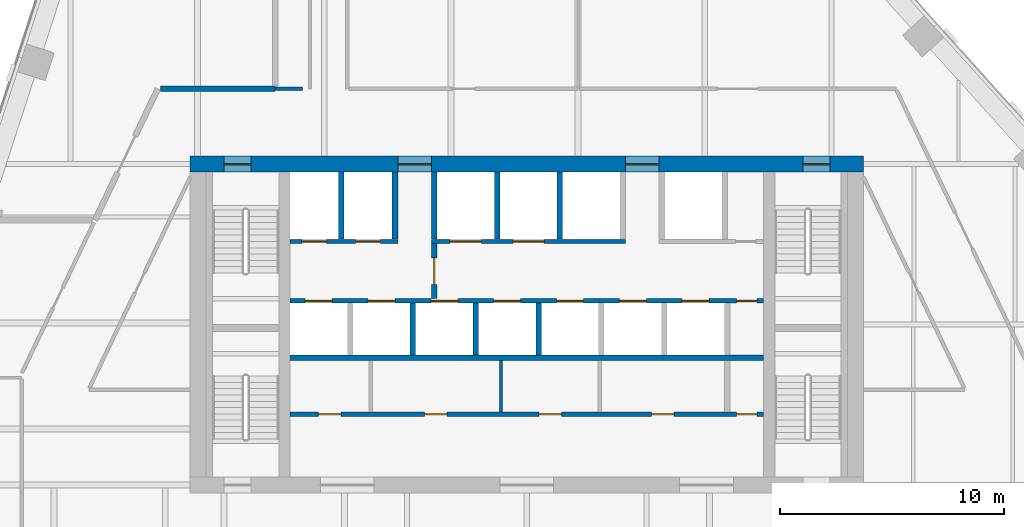
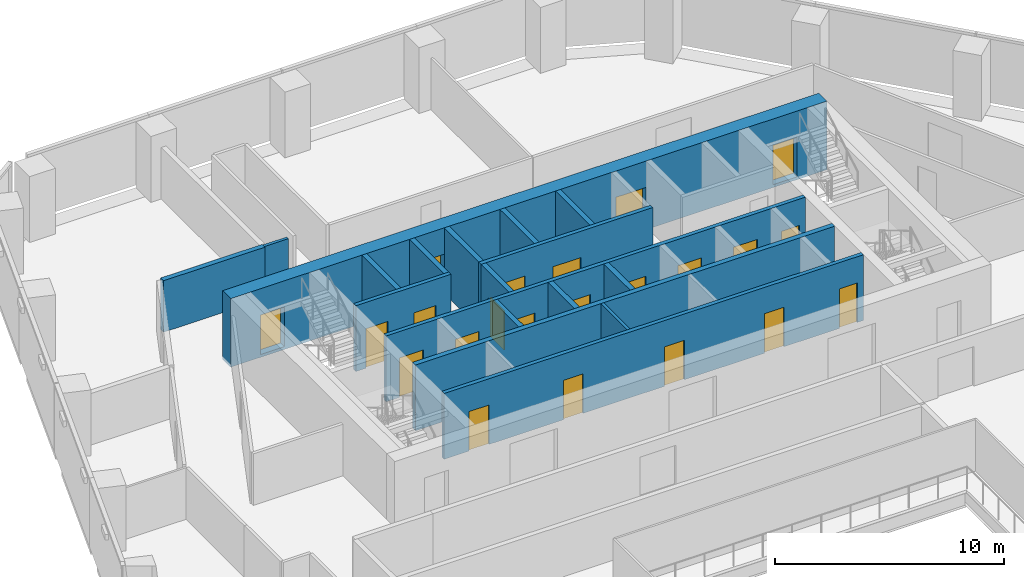
# One storey, part 12 of 17: 22 doors, 18 walls, 22 openings.
"""IFC4 building model written with IfcOpenShell, lengths in metres."""

from ifc_helpers import new_model, si_unit, direction, frame, frame_2d, origin, place, context, subcontext, project, spatial, rectangle, extrude, material, layer, layer_set, type_object, element, fill, save


model = new_model("IFC4")

# Units and contexts
model_context = context("Model", 3, precision=1e-05, world=origin(), true_north=direction((0.0, 1.0)))
body_context = subcontext(model_context, "Body", "Model", "MODEL_VIEW")
ifc_project = project(units=[si_unit("LENGTHUNIT", "METRE"), si_unit("AREAUNIT", "SQUARE_METRE"), si_unit("VOLUMEUNIT", "CUBIC_METRE"), si_unit("PLANEANGLEUNIT", "RADIAN"), si_unit("MASSUNIT", "GRAM", prefix="KILO")], contexts=[model_context])

# Site, building, storey
site_placement = place(None, origin())
site = spatial("IfcSite", under=ifc_project, at=site_placement, CompositionType="ELEMENT")
building_placement = place(site_placement, origin())
building = spatial("IfcBuilding", under=site, at=building_placement, Name="Isthmus Gate Tower", CompositionType="ELEMENT")
storey_placement = place(building_placement, frame((0.0, 0.0, 200.0)))
storey = spatial("IfcBuildingStorey", under=building, at=storey_placement, Name="L50", CompositionType="ELEMENT", Elevation=200.0)

# Walls
ifc_material_1 = material(Name="Double-leaf acoustic stud wall, fire-rated", Category="gypsum")
ifc_layer_1 = layer(ifc_material_1, 0.25)
ifc_layer_set_1 = layer_set([ifc_layer_1], Name="ACOUSTIC WALL 250 60 MIN")
wall_type_1 = type_object("IfcWallType", Name="ACOUSTIC WALL 250 60 MIN", PredefinedType="PARTITIONING", material=ifc_layer_set_1)
wall_1_placement = place(storey_placement, frame((-16.320068359375, 18.0, 0.0), z_axis=(0.0, 0.0, 1.0), x_axis=(1.0, 0.0, 0.0)))
element("IfcWall", 1, at=wall_1_placement, inside=storey, type_object=wall_type_1, Name="L50 Acoustic Wall 250 60 Min", PredefinedType="PARTITIONING", context=body_context, shape_type="SweptSolid", body=[
    extrude(rectangle(XDim=5.108154296875, YDim=0.25, at=frame_2d((2.55419921875, 0.0))), origin(), (0.0, 0.0, 1.0), 2.7412109375),
])
ifc_material_2 = material(Name="Gypsum board on steel studs, fire-rated", Category="steel")
ifc_layer_2 = layer(ifc_material_2, 0.14990234375)
ifc_layer_set_2 = layer_set([ifc_layer_2], Name="CORRIDOR WALL 150 60 MIN")
wall_type_2 = type_object("IfcWallType", Name="CORRIDOR WALL 150 60 MIN", PredefinedType="PARTITIONING", material=ifc_layer_set_2)
wall_2_placement = place(storey_placement, frame((-11.2119140625, 18.0, 0.0), z_axis=(0.0, 0.0, 1.0), x_axis=(1.0, 0.0, 0.0)))
element("IfcWall", 2, at=wall_2_placement, inside=storey, type_object=wall_type_2, Name="L50 Corridor Wall 150 60 Min", PredefinedType="PARTITIONING", context=body_context, shape_type="SweptSolid", body=[
    extrude(rectangle(XDim=1.2099609375, YDim=0.14990234375, at=frame_2d((0.60498046875, 0.0))), origin(), (0.0, 0.0, 1.0), 2.7412109375),
])

# Wall, opening, door
ifc_material_3 = material(Name="Fire-rated blockwork masonry, 15 MPa", Category="masonry")
ifc_layer_3 = layer(ifc_material_3, 0.25)
ifc_layer_set_3 = layer_set([ifc_layer_3], Name="FIRE-FIGHTING LOBBY WALL 250 90 MIN")
wall_type_3 = type_object("IfcWallType", Name="FIRE-FIGHTING LOBBY WALL 250 90 MIN", PredefinedType="PARTITIONING", material=ifc_layer_set_3)
wall_3_placement = place(storey_placement, frame((-4.125, 8.64990234375, 0.0), z_axis=(0.0, 0.0, 1.0), x_axis=(0.0, 1.0, 0.0)))
wall_3 = element("IfcWall", 3, at=wall_3_placement, inside=storey, type_object=wall_type_3, Name="L50 FIRE-FIGHTING LOBBY WALL 250 90 MIN", PredefinedType="PARTITIONING", context=body_context, shape_type="SweptSolid", body=[
    extrude(rectangle(XDim=2.4501953125, YDim=0.25, at=frame_2d((1.22509765625, 0.0))), origin(), (0.0, 0.0, 1.0), 3.5),
])
opening_1_placement = place(wall_3_placement, frame((0.625, 0.0, 0.0)))
opening_1 = element("IfcOpeningElement", 4, at=opening_1_placement, cuts=wall_3, Name="Opening DC-A13-01", PredefinedType="OPENING", context=body_context, shape_type="SweptSolid", body=[
    extrude(rectangle(XDim=1.199951171875, YDim=2.10009765625, at=frame_2d((0.60009765625, 1.050048828125))), frame((0.0, 0.135009765625, 0.0), z_axis=(0.0, -1.0, 0.0), x_axis=(1.0, 0.0, 0.0)), (0.0, 0.0, 1.0), 0.27001953125),
])
ifc_material_4 = material(Name="Steel door leaf, fire-rated", Category="steel")
door_type_1 = type_object("IfcDoorType", Name="LOBBY FIRE DOOR 1200 X 2100 90 MIN", OperationType="DOUBLE_DOOR_SINGLE_SWING", PredefinedType="DOOR", material=ifc_material_4)
door_1_placement = place(opening_1_placement, origin())
door_1 = element("IfcDoor", 5, at=door_1_placement, inside=storey, type_object=door_type_1, Name="Fire-fighting Lobby Door", OperationType="SINGLE_SWING_LEFT", OverallHeight=2.10009765625, OverallWidth=1.199951171875, PredefinedType="DOOR", context=body_context, shape_type="SweptSolid", body=[
    extrude(rectangle(XDim=1.199951171875, YDim=2.10009765625, at=frame_2d((0.60009765625, 1.050048828125))), frame((0.0, 0.02490234375, 0.0), z_axis=(0.0, -1.0, 0.0), x_axis=(1.0, 0.0, 0.0)), (0.0, 0.0, 1.0), 0.050048828125),
])
fill(opening_1, door_1)

# Wall, openings, doors
ifc_material_5 = material(Name="Concrete f'c 60 MPa", Category="concrete")
ifc_layer_4 = layer(ifc_material_5, 0.699951171875)
ifc_layer_set_4 = layer_set([ifc_layer_4], Name="RC CORE WALL 700 F'C 60")
wall_type_4 = type_object("IfcWallType", Name="RC CORE WALL 700 F'C 60", PredefinedType="SOLIDWALL", material=ifc_layer_set_4)
wall_4_placement = place(storey_placement, frame((-15.0, 14.64990234375, -0.14990234375), z_axis=(0.0, 0.0, 1.0), x_axis=(1.0, 0.0, 0.0)))
wall_4 = element("IfcWall", 6, at=wall_4_placement, inside=storey, type_object=wall_type_4, Name="str-corewall-L50-N", PredefinedType="SOLIDWALL", context=body_context, shape_type="SweptSolid", body=[
    extrude(rectangle(XDim=30.0, YDim=0.699951171875, at=frame_2d((15.0, 0.0))), origin(), (0.0, 0.0, 1.0), 3.64990234375),
])
opening_2_placement = place(wall_4_placement, frame((9.25, 0.0, 0.14990234375)))
opening_2 = element("IfcOpeningElement", 7, at=opening_2_placement, cuts=wall_4, Name="Opening DC-A13-12", PredefinedType="OPENING", context=body_context, shape_type="SweptSolid", body=[
    extrude(rectangle(XDim=1.5, YDim=2.10009765625, at=frame_2d((0.75, 1.050048828125))), frame((0.0, 0.35986328125, 0.0), z_axis=(0.0, -1.0, 0.0), x_axis=(1.0, 0.0, 0.0)), (0.0, 0.0, 1.0), 0.719970703125),
])
opening_3_placement = place(wall_4_placement, frame((19.39990234375, 0.0, 0.14990234375)))
opening_3 = element("IfcOpeningElement", 8, at=opening_3_placement, cuts=wall_4, Name="Opening DC-A13-13", PredefinedType="OPENING", context=body_context, shape_type="SweptSolid", body=[
    extrude(rectangle(XDim=1.5, YDim=2.10009765625, at=frame_2d((0.75, 1.050048828125))), frame((0.0, 0.35986328125, 0.0), z_axis=(0.0, -1.0, 0.0), x_axis=(1.0, 0.0, 0.0)), (0.0, 0.0, 1.0), 0.719970703125),
])
opening_4_placement = place(wall_4_placement, frame((1.5, 0.0, 0.14990234375)))
opening_4 = element("IfcOpeningElement", 9, at=opening_4_placement, cuts=wall_4, Name="Opening DC-A13-14", PredefinedType="OPENING", context=body_context, shape_type="SweptSolid", body=[
    extrude(rectangle(XDim=1.199951171875, YDim=2.10009765625, at=frame_2d((0.60009765625, 1.050048828125))), frame((0.0, 0.35986328125, 0.0), z_axis=(0.0, -1.0, 0.0), x_axis=(1.0, 0.0, 0.0)), (0.0, 0.0, 1.0), 0.719970703125),
])
opening_5_placement = place(wall_4_placement, frame((27.300048828125, 0.0, 0.14990234375)))
opening_5 = element("IfcOpeningElement", 10, at=opening_5_placement, cuts=wall_4, Name="Opening DC-A13-15", PredefinedType="OPENING", context=body_context, shape_type="SweptSolid", body=[
    extrude(rectangle(XDim=1.199951171875, YDim=2.10009765625, at=frame_2d((0.60009765625, 1.050048828125))), frame((0.0, 0.35986328125, 0.0), z_axis=(0.0, -1.0, 0.0), x_axis=(1.0, 0.0, 0.0)), (0.0, 0.0, 1.0), 0.719970703125),
])
ifc_material_6 = material(Name="Steel door leaf, fire-rated", Category="steel")
door_type_2 = type_object("IfcDoorType", Name="LOBBY FIRE DOOR 1500 X 2100 60 MIN", OperationType="DOUBLE_DOOR_SINGLE_SWING", PredefinedType="DOOR", material=ifc_material_6)
door_2_placement = place(opening_3_placement, origin())
door_2 = element("IfcDoor", 11, at=door_2_placement, inside=storey, type_object=door_type_2, Name="Lobby Door PN-E", OperationType="DOUBLE_DOOR_SINGLE_SWING", OverallHeight=2.10009765625, OverallWidth=1.5, PredefinedType="DOOR", context=body_context, shape_type="SweptSolid", body=[
    extrude(rectangle(XDim=1.5, YDim=2.10009765625, at=frame_2d((0.75, 1.050048828125))), frame((0.0, 0.02490234375, 0.0), z_axis=(0.0, -1.0, 0.0), x_axis=(1.0, 0.0, 0.0)), (0.0, 0.0, 1.0), 0.050048828125),
])
fill(opening_3, door_2)
ifc_material_7 = material(Name="Steel door leaf, fire-rated", Category="steel")
door_type_3 = type_object("IfcDoorType", Name="LOBBY FIRE DOOR 1500 X 2100 90 MIN", OperationType="DOUBLE_DOOR_SINGLE_SWING", PredefinedType="DOOR", material=ifc_material_7)
door_3_placement = place(opening_2_placement, origin())
door_3 = element("IfcDoor", 12, at=door_3_placement, inside=storey, type_object=door_type_3, Name="Lobby Door PN-W", OperationType="DOUBLE_DOOR_SINGLE_SWING", OverallHeight=2.10009765625, OverallWidth=1.5, PredefinedType="DOOR", context=body_context, shape_type="SweptSolid", body=[
    extrude(rectangle(XDim=1.5, YDim=2.10009765625, at=frame_2d((0.75, 1.050048828125))), frame((0.0, 0.02490234375, 0.0), z_axis=(0.0, -1.0, 0.0), x_axis=(1.0, 0.0, 0.0)), (0.0, 0.0, 1.0), 0.050048828125),
])
fill(opening_2, door_3)
ifc_material_8 = material(Name="Steel door leaf, fire-rated", Category="steel")
door_type_4 = type_object("IfcDoorType", Name="STAIR FIRE DOOR 1200 X 2100 90 MIN", OperationType="SINGLE_SWING_LEFT", PredefinedType="DOOR", material=ifc_material_8)
door_4_placement = place(opening_4_placement, origin())
door_4 = element("IfcDoor", 13, at=door_4_placement, inside=storey, type_object=door_type_4, Name="Exit Stair 1 Door", OperationType="SINGLE_SWING_RIGHT", OverallHeight=2.10009765625, OverallWidth=1.199951171875, PredefinedType="DOOR", context=body_context, shape_type="SweptSolid", body=[
    extrude(rectangle(XDim=1.199951171875, YDim=2.10009765625, at=frame_2d((0.60009765625, 1.050048828125))), frame((0.0, 0.02490234375, 0.0), z_axis=(0.0, -1.0, 0.0), x_axis=(1.0, 0.0, 0.0)), (0.0, 0.0, 1.0), 0.050048828125),
])
fill(opening_4, door_4)
door_5_placement = place(opening_5_placement, origin())
door_5 = element("IfcDoor", 14, at=door_5_placement, inside=storey, type_object=door_type_4, Name="Exit Stair 2 Door", OperationType="SINGLE_SWING_LEFT", OverallHeight=2.10009765625, OverallWidth=1.199951171875, PredefinedType="DOOR", context=body_context, shape_type="SweptSolid", body=[
    extrude(rectangle(XDim=1.199951171875, YDim=2.10009765625, at=frame_2d((0.60009765625, 1.050048828125))), frame((0.0, 0.02490234375, 0.0), z_axis=(0.0, -1.0, 0.0), x_axis=(1.0, 0.0, 0.0)), (0.0, 0.0, 1.0), 0.050048828125),
])
fill(opening_5, door_5)

# Wall
ifc_material_9 = material(Name="Gypsum board on steel studs, fire-rated", Category="steel")
ifc_layer_5 = layer(ifc_material_9, 0.14990234375)
ifc_layer_set_5 = layer_set([ifc_layer_5], Name="ROOM PARTITION 150 60 MIN")
wall_type_5 = type_object("IfcWallType", Name="ROOM PARTITION 150 60 MIN", PredefinedType="PARTITIONING", material=ifc_layer_set_5)
wall_5_placement = place(storey_placement, frame((-1.14990234375, 3.60009765625, 0.0), z_axis=(0.0, 0.0, 1.0), x_axis=(0.0, 1.0, 0.0)))
element("IfcWall", 15, at=wall_5_placement, inside=storey, type_object=wall_type_5, Name="L50 ROOM PARTITION 150 60 MIN", PredefinedType="PARTITIONING", context=body_context, shape_type="SweptSolid", body=[
    extrude(rectangle(XDim=2.2998046875, YDim=0.14990234375, at=frame_2d((1.14990234375, 0.0))), origin(), (0.0, 0.0, 1.0), 3.5),
])

# Wall, openings, doors
ifc_material_10 = material(Name="Fire-rated blockwork masonry, 15 MPa", Category="masonry")
ifc_layer_6 = layer(ifc_material_10, 0.199951171875)
ifc_layer_set_6 = layer_set([ifc_layer_6], Name="SHAFT FRONT WALL 200 120 MIN")
wall_type_6 = type_object("IfcWallType", Name="SHAFT FRONT WALL 200 120 MIN", PredefinedType="PARTITIONING", material=ifc_layer_set_6)
wall_6_placement = place(storey_placement, frame((-10.550048828125, 3.5, 0.0), z_axis=(0.0, 0.0, 1.0), x_axis=(1.0, 0.0, 0.0)))
wall_6 = element("IfcWall", 16, at=wall_6_placement, inside=storey, type_object=wall_type_6, Name="L50 SHAFT FRONT WALL 200 120 MIN", PredefinedType="PARTITIONING", context=body_context, shape_type="SweptSolid", body=[
    extrude(rectangle(XDim=21.10009765625, YDim=0.199951171875, at=frame_2d((10.550048828125, 0.0))), origin(), (0.0, 0.0, 1.0), 3.5),
])
opening_6_placement = place(wall_6_placement, frame((1.262451171875, 0.0, 0.0)))
opening_6 = element("IfcOpeningElement", 17, at=opening_6_placement, cuts=wall_6, Name="Opening DC-A13-02", PredefinedType="OPENING", context=body_context, shape_type="SweptSolid", body=[
    extrude(rectangle(XDim=1.0, YDim=2.10009765625, at=frame_2d((0.5, 1.050048828125))), frame((0.0, 0.10986328125, 0.0), z_axis=(0.0, -1.0, 0.0), x_axis=(1.0, 0.0, 0.0)), (0.0, 0.0, 1.0), 0.219970703125),
])
opening_7_placement = place(wall_6_placement, frame((6.0, 0.0, 0.0)))
opening_7 = element("IfcOpeningElement", 18, at=opening_7_placement, cuts=wall_6, Name="Opening DC-A13-03", PredefinedType="OPENING", context=body_context, shape_type="SweptSolid", body=[
    extrude(rectangle(XDim=1.0, YDim=2.10009765625, at=frame_2d((0.5, 1.050048828125))), frame((0.0, 0.10986328125, 0.0), z_axis=(0.0, -1.0, 0.0), x_axis=(1.0, 0.0, 0.0)), (0.0, 0.0, 1.0), 0.219970703125),
])
opening_8_placement = place(wall_6_placement, frame((11.10009765625, 0.0, 0.0)))
opening_8 = element("IfcOpeningElement", 19, at=opening_8_placement, cuts=wall_6, Name="Opening DC-A13-04", PredefinedType="OPENING", context=body_context, shape_type="SweptSolid", body=[
    extrude(rectangle(XDim=1.0, YDim=2.10009765625, at=frame_2d((0.5, 1.050048828125))), frame((0.0, 0.10986328125, 0.0), z_axis=(0.0, -1.0, 0.0), x_axis=(1.0, 0.0, 0.0)), (0.0, 0.0, 1.0), 0.219970703125),
])
opening_9_placement = place(wall_6_placement, frame((16.112548828125, 0.0, 0.0)))
opening_9 = element("IfcOpeningElement", 20, at=opening_9_placement, cuts=wall_6, Name="Opening DC-A13-05", PredefinedType="OPENING", context=body_context, shape_type="SweptSolid", body=[
    extrude(rectangle(XDim=1.0, YDim=2.10009765625, at=frame_2d((0.5, 1.050048828125))), frame((0.0, 0.10986328125, 0.0), z_axis=(0.0, -1.0, 0.0), x_axis=(1.0, 0.0, 0.0)), (0.0, 0.0, 1.0), 0.219970703125),
])
opening_10_placement = place(wall_6_placement, frame((19.89990234375, 0.0, 0.0)))
opening_10 = element("IfcOpeningElement", 21, at=opening_10_placement, cuts=wall_6, Name="Opening DC-A13-06", PredefinedType="OPENING", context=body_context, shape_type="SweptSolid", body=[
    extrude(rectangle(XDim=0.89990234375, YDim=2.10009765625, at=frame_2d((0.449951171875, 1.050048828125))), frame((0.0, 0.10986328125, 0.0), z_axis=(0.0, -1.0, 0.0), x_axis=(1.0, 0.0, 0.0)), (0.0, 0.0, 1.0), 0.219970703125),
])
ifc_material_11 = material(Name="Steel door leaf, fire-rated", Category="steel")
door_type_5 = type_object("IfcDoorType", Name="FIRE DOOR 1000 X 2100 60 MIN", OperationType="SINGLE_SWING_LEFT", PredefinedType="DOOR", material=ifc_material_11)
door_6_placement = place(opening_6_placement, origin())
door_6 = element("IfcDoor", 22, at=door_6_placement, inside=storey, type_object=door_type_5, Name="Accessible WC Door", OperationType="SINGLE_SWING_LEFT", OverallHeight=2.10009765625, OverallWidth=1.0, PredefinedType="DOOR", context=body_context, shape_type="SweptSolid", body=[
    extrude(rectangle(XDim=1.0, YDim=2.10009765625, at=frame_2d((0.5, 1.050048828125))), frame((0.0, 0.02490234375, 0.0), z_axis=(0.0, -1.0, 0.0), x_axis=(1.0, 0.0, 0.0)), (0.0, 0.0, 1.0), 0.050048828125),
])
fill(opening_6, door_6)
door_7_placement = place(opening_7_placement, origin())
door_7 = element("IfcDoor", 23, at=door_7_placement, inside=storey, type_object=door_type_5, Name="WC Women Door", OperationType="SINGLE_SWING_RIGHT", OverallHeight=2.10009765625, OverallWidth=1.0, PredefinedType="DOOR", context=body_context, shape_type="SweptSolid", body=[
    extrude(rectangle(XDim=1.0, YDim=2.10009765625, at=frame_2d((0.5, 1.050048828125))), frame((0.0, 0.02490234375, 0.0), z_axis=(0.0, -1.0, 0.0), x_axis=(1.0, 0.0, 0.0)), (0.0, 0.0, 1.0), 0.050048828125),
])
fill(opening_7, door_7)
door_8_placement = place(opening_8_placement, origin())
door_8 = element("IfcDoor", 24, at=door_8_placement, inside=storey, type_object=door_type_5, Name="WC Men Door", OperationType="SINGLE_SWING_LEFT", OverallHeight=2.10009765625, OverallWidth=1.0, PredefinedType="DOOR", context=body_context, shape_type="SweptSolid", body=[
    extrude(rectangle(XDim=1.0, YDim=2.10009765625, at=frame_2d((0.5, 1.050048828125))), frame((0.0, 0.02490234375, 0.0), z_axis=(0.0, -1.0, 0.0), x_axis=(1.0, 0.0, 0.0)), (0.0, 0.0, 1.0), 0.050048828125),
])
fill(opening_8, door_8)
door_9_placement = place(opening_9_placement, origin())
door_9 = element("IfcDoor", 25, at=door_9_placement, inside=storey, type_object=door_type_5, Name="Staff Room Door", OperationType="SINGLE_SWING_RIGHT", OverallHeight=2.10009765625, OverallWidth=1.0, PredefinedType="DOOR", context=body_context, shape_type="SweptSolid", body=[
    extrude(rectangle(XDim=1.0, YDim=2.10009765625, at=frame_2d((0.5, 1.050048828125))), frame((0.0, 0.02490234375, 0.0), z_axis=(0.0, -1.0, 0.0), x_axis=(1.0, 0.0, 0.0)), (0.0, 0.0, 1.0), 0.050048828125),
])
fill(opening_9, door_9)
ifc_material_12 = material(Name="Steel door leaf, fire-rated", Category="steel")
door_type_6 = type_object("IfcDoorType", Name="RISER FIRE DOOR 900 X 2100 90 MIN", OperationType="SINGLE_SWING_LEFT", PredefinedType="DOOR", material=ifc_material_12)
door_10_placement = place(opening_10_placement, origin())
door_10 = element("IfcDoor", 26, at=door_10_placement, inside=storey, type_object=door_type_6, Name="Riser Door", OperationType="SINGLE_SWING_RIGHT", OverallHeight=2.10009765625, OverallWidth=0.89990234375, PredefinedType="DOOR", context=body_context, shape_type="SweptSolid", body=[
    extrude(rectangle(XDim=0.89990234375, YDim=2.10009765625, at=frame_2d((0.449951171875, 1.050048828125))), frame((0.0, 0.02490234375, 0.0), z_axis=(0.0, -1.0, 0.0), x_axis=(1.0, 0.0, 0.0)), (0.0, 0.0, 1.0), 0.050048828125),
])
fill(opening_10, door_10)

wall_7_placement = place(storey_placement, frame((-10.550048828125, 8.550048828125, 0.0), z_axis=(0.0, 0.0, 1.0), x_axis=(1.0, 0.0, 0.0)))
wall_7 = element("IfcWall", 27, at=wall_7_placement, inside=storey, type_object=wall_type_6, Name="L50 SHAFT FRONT WALL 200 120 MIN", PredefinedType="PARTITIONING", context=body_context, shape_type="SweptSolid", body=[
    extrude(rectangle(XDim=21.10009765625, YDim=0.199951171875, at=frame_2d((10.550048828125, 0.0))), origin(), (0.0, 0.0, 1.0), 3.5),
])
opening_11_placement = place(wall_7_placement, frame((0.675048828125, 0.0, 0.0)))
opening_11 = element("IfcOpeningElement", 28, at=opening_11_placement, cuts=wall_7, Name="Opening LD-LB1", PredefinedType="OPENING", context=body_context, shape_type="SweptSolid", body=[
    extrude(rectangle(XDim=1.199951171875, YDim=2.10009765625, at=frame_2d((0.60009765625, 1.050048828125))), frame((0.0, 0.10986328125, 0.0), z_axis=(0.0, -1.0, 0.0), x_axis=(1.0, 0.0, 0.0)), (0.0, 0.0, 1.0), 0.219970703125),
])
opening_12_placement = place(wall_7_placement, frame((3.47509765625, 0.0, 0.0)))
opening_12 = element("IfcOpeningElement", 29, at=opening_12_placement, cuts=wall_7, Name="Opening LD-LB2", PredefinedType="OPENING", context=body_context, shape_type="SweptSolid", body=[
    extrude(rectangle(XDim=1.199951171875, YDim=2.10009765625, at=frame_2d((0.60009765625, 1.050048828125))), frame((0.0, 0.10986328125, 0.0), z_axis=(0.0, -1.0, 0.0), x_axis=(1.0, 0.0, 0.0)), (0.0, 0.0, 1.0), 0.219970703125),
])
opening_13_placement = place(wall_7_placement, frame((6.27490234375, 0.0, 0.0)))
opening_13 = element("IfcOpeningElement", 30, at=opening_13_placement, cuts=wall_7, Name="Opening LD-LB3", PredefinedType="OPENING", context=body_context, shape_type="SweptSolid", body=[
    extrude(rectangle(XDim=1.199951171875, YDim=2.10009765625, at=frame_2d((0.60009765625, 1.050048828125))), frame((0.0, 0.10986328125, 0.0), z_axis=(0.0, -1.0, 0.0), x_axis=(1.0, 0.0, 0.0)), (0.0, 0.0, 1.0), 0.219970703125),
])
opening_14_placement = place(wall_7_placement, frame((9.074951171875, 0.0, 0.0)))
opening_14 = element("IfcOpeningElement", 31, at=opening_14_placement, cuts=wall_7, Name="Opening LD-LB4", PredefinedType="OPENING", context=body_context, shape_type="SweptSolid", body=[
    extrude(rectangle(XDim=1.199951171875, YDim=2.10009765625, at=frame_2d((0.60009765625, 1.050048828125))), frame((0.0, 0.10986328125, 0.0), z_axis=(0.0, -1.0, 0.0), x_axis=(1.0, 0.0, 0.0)), (0.0, 0.0, 1.0), 0.219970703125),
])
opening_15_placement = place(wall_7_placement, frame((11.875, 0.0, 0.0)))
opening_15 = element("IfcOpeningElement", 32, at=opening_15_placement, cuts=wall_7, Name="Opening LD-LB5", PredefinedType="OPENING", context=body_context, shape_type="SweptSolid", body=[
    extrude(rectangle(XDim=1.199951171875, YDim=2.10009765625, at=frame_2d((0.60009765625, 1.050048828125))), frame((0.0, 0.10986328125, 0.0), z_axis=(0.0, -1.0, 0.0), x_axis=(1.0, 0.0, 0.0)), (0.0, 0.0, 1.0), 0.219970703125),
])
opening_16_placement = place(wall_7_placement, frame((14.675048828125, 0.0, 0.0)))
opening_16 = element("IfcOpeningElement", 33, at=opening_16_placement, cuts=wall_7, Name="Opening LD-LB6", PredefinedType="OPENING", context=body_context, shape_type="SweptSolid", body=[
    extrude(rectangle(XDim=1.199951171875, YDim=2.10009765625, at=frame_2d((0.60009765625, 1.050048828125))), frame((0.0, 0.10986328125, 0.0), z_axis=(0.0, -1.0, 0.0), x_axis=(1.0, 0.0, 0.0)), (0.0, 0.0, 1.0), 0.219970703125),
])
opening_17_placement = place(wall_7_placement, frame((17.47509765625, 0.0, 0.0)))
opening_17 = element("IfcOpeningElement", 34, at=opening_17_placement, cuts=wall_7, Name="Opening LD-LB7", PredefinedType="OPENING", context=body_context, shape_type="SweptSolid", body=[
    extrude(rectangle(XDim=1.199951171875, YDim=2.10009765625, at=frame_2d((0.60009765625, 1.050048828125))), frame((0.0, 0.10986328125, 0.0), z_axis=(0.0, -1.0, 0.0), x_axis=(1.0, 0.0, 0.0)), (0.0, 0.0, 1.0), 0.219970703125),
])
opening_18_placement = place(wall_7_placement, frame((19.89990234375, 0.0, 0.0)))
opening_18 = element("IfcOpeningElement", 35, at=opening_18_placement, cuts=wall_7, Name="Opening DC-A13-07", PredefinedType="OPENING", context=body_context, shape_type="SweptSolid", body=[
    extrude(rectangle(XDim=0.89990234375, YDim=2.10009765625, at=frame_2d((0.449951171875, 1.050048828125))), frame((0.0, 0.10986328125, 0.0), z_axis=(0.0, -1.0, 0.0), x_axis=(1.0, 0.0, 0.0)), (0.0, 0.0, 1.0), 0.219970703125),
])
ifc_material_13 = material(Name="Stainless steel sliding leaf", Category="steel")
door_type_7 = type_object("IfcDoorType", Name="LIFT LANDING FIRE DOOR 1200 X 2100 90 MIN", OperationType="DOUBLE_DOOR_SLIDING", PredefinedType="DOOR", material=ifc_material_13)
door_11_placement = place(opening_11_placement, origin())
door_11 = element("IfcDoor", 36, at=door_11_placement, inside=storey, type_object=door_type_7, Name="Lift Landing Door LB1", OperationType="DOUBLE_DOOR_SLIDING", OverallHeight=2.10009765625, OverallWidth=1.199951171875, PredefinedType="DOOR", context=body_context, shape_type="SweptSolid", body=[
    extrude(rectangle(XDim=1.199951171875, YDim=2.10009765625, at=frame_2d((0.60009765625, 1.050048828125))), frame((0.0, 0.02490234375, 0.0), z_axis=(0.0, -1.0, 0.0), x_axis=(1.0, 0.0, 0.0)), (0.0, 0.0, 1.0), 0.050048828125),
])
fill(opening_11, door_11)
door_12_placement = place(opening_12_placement, origin())
door_12 = element("IfcDoor", 37, at=door_12_placement, inside=storey, type_object=door_type_7, Name="Lift Landing Door LB2", OperationType="DOUBLE_DOOR_SLIDING", OverallHeight=2.10009765625, OverallWidth=1.199951171875, PredefinedType="DOOR", context=body_context, shape_type="SweptSolid", body=[
    extrude(rectangle(XDim=1.199951171875, YDim=2.10009765625, at=frame_2d((0.60009765625, 1.050048828125))), frame((0.0, 0.02490234375, 0.0), z_axis=(0.0, -1.0, 0.0), x_axis=(1.0, 0.0, 0.0)), (0.0, 0.0, 1.0), 0.050048828125),
])
fill(opening_12, door_12)
door_13_placement = place(opening_13_placement, origin())
door_13 = element("IfcDoor", 38, at=door_13_placement, inside=storey, type_object=door_type_7, Name="Lift Landing Door LB3", OperationType="DOUBLE_DOOR_SLIDING", OverallHeight=2.10009765625, OverallWidth=1.199951171875, PredefinedType="DOOR", context=body_context, shape_type="SweptSolid", body=[
    extrude(rectangle(XDim=1.199951171875, YDim=2.10009765625, at=frame_2d((0.60009765625, 1.050048828125))), frame((0.0, 0.02490234375, 0.0), z_axis=(0.0, -1.0, 0.0), x_axis=(1.0, 0.0, 0.0)), (0.0, 0.0, 1.0), 0.050048828125),
])
fill(opening_13, door_13)
door_14_placement = place(opening_14_placement, origin())
door_14 = element("IfcDoor", 39, at=door_14_placement, inside=storey, type_object=door_type_7, Name="Lift Landing Door LB4", OperationType="DOUBLE_DOOR_SLIDING", OverallHeight=2.10009765625, OverallWidth=1.199951171875, PredefinedType="DOOR", context=body_context, shape_type="SweptSolid", body=[
    extrude(rectangle(XDim=1.199951171875, YDim=2.10009765625, at=frame_2d((0.60009765625, 1.050048828125))), frame((0.0, 0.02490234375, 0.0), z_axis=(0.0, -1.0, 0.0), x_axis=(1.0, 0.0, 0.0)), (0.0, 0.0, 1.0), 0.050048828125),
])
fill(opening_14, door_14)
door_15_placement = place(opening_15_placement, origin())
door_15 = element("IfcDoor", 40, at=door_15_placement, inside=storey, type_object=door_type_7, Name="Lift Landing Door LB5", OperationType="DOUBLE_DOOR_SLIDING", OverallHeight=2.10009765625, OverallWidth=1.199951171875, PredefinedType="DOOR", context=body_context, shape_type="SweptSolid", body=[
    extrude(rectangle(XDim=1.199951171875, YDim=2.10009765625, at=frame_2d((0.60009765625, 1.050048828125))), frame((0.0, 0.02490234375, 0.0), z_axis=(0.0, -1.0, 0.0), x_axis=(1.0, 0.0, 0.0)), (0.0, 0.0, 1.0), 0.050048828125),
])
fill(opening_15, door_15)
door_16_placement = place(opening_16_placement, origin())
door_16 = element("IfcDoor", 41, at=door_16_placement, inside=storey, type_object=door_type_7, Name="Lift Landing Door LB6", OperationType="DOUBLE_DOOR_SLIDING", OverallHeight=2.10009765625, OverallWidth=1.199951171875, PredefinedType="DOOR", context=body_context, shape_type="SweptSolid", body=[
    extrude(rectangle(XDim=1.199951171875, YDim=2.10009765625, at=frame_2d((0.60009765625, 1.050048828125))), frame((0.0, 0.02490234375, 0.0), z_axis=(0.0, -1.0, 0.0), x_axis=(1.0, 0.0, 0.0)), (0.0, 0.0, 1.0), 0.050048828125),
])
fill(opening_16, door_16)
door_17_placement = place(opening_17_placement, origin())
door_17 = element("IfcDoor", 42, at=door_17_placement, inside=storey, type_object=door_type_7, Name="Lift Landing Door LB7", OperationType="DOUBLE_DOOR_SLIDING", OverallHeight=2.10009765625, OverallWidth=1.199951171875, PredefinedType="DOOR", context=body_context, shape_type="SweptSolid", body=[
    extrude(rectangle(XDim=1.199951171875, YDim=2.10009765625, at=frame_2d((0.60009765625, 1.050048828125))), frame((0.0, 0.02490234375, 0.0), z_axis=(0.0, -1.0, 0.0), x_axis=(1.0, 0.0, 0.0)), (0.0, 0.0, 1.0), 0.050048828125),
])
fill(opening_17, door_17)
door_18_placement = place(opening_18_placement, origin())
door_18 = element("IfcDoor", 43, at=door_18_placement, inside=storey, type_object=door_type_6, Name="Riser Door", OperationType="SINGLE_SWING_RIGHT", OverallHeight=2.10009765625, OverallWidth=0.89990234375, PredefinedType="DOOR", context=body_context, shape_type="SweptSolid", body=[
    extrude(rectangle(XDim=0.89990234375, YDim=2.10009765625, at=frame_2d((0.449951171875, 1.050048828125))), frame((0.0, 0.02490234375, 0.0), z_axis=(0.0, -1.0, 0.0), x_axis=(1.0, 0.0, 0.0)), (0.0, 0.0, 1.0), 0.050048828125),
])
fill(opening_18, door_18)

wall_8_placement = place(storey_placement, frame((-10.550048828125, 11.199951171875, 0.0), z_axis=(0.0, 0.0, 1.0), x_axis=(1.0, 0.0, 0.0)))
wall_8 = element("IfcWall", 44, at=wall_8_placement, inside=storey, type_object=wall_type_6, Name="L50 SHAFT FRONT WALL 200 120 MIN", PredefinedType="PARTITIONING", context=body_context, shape_type="SweptSolid", body=[
    extrude(rectangle(XDim=4.800048828125, YDim=0.199951171875, at=frame_2d((2.39990234375, 0.0))), origin(), (0.0, 0.0, 1.0), 3.5),
])
opening_19_placement = place(wall_8_placement, frame((0.52490234375, 0.0, 0.0)))
opening_19 = element("IfcOpeningElement", 45, at=opening_19_placement, cuts=wall_8, Name="Opening LD-LF1", PredefinedType="OPENING", context=body_context, shape_type="SweptSolid", body=[
    extrude(rectangle(XDim=1.10009765625, YDim=2.10009765625, at=frame_2d((0.550048828125, 1.050048828125))), frame((0.0, 0.10986328125, 0.0), z_axis=(0.0, -1.0, 0.0), x_axis=(1.0, 0.0, 0.0)), (0.0, 0.0, 1.0), 0.219970703125),
])
opening_20_placement = place(wall_8_placement, frame((2.925048828125, 0.0, 0.0)))
opening_20 = element("IfcOpeningElement", 46, at=opening_20_placement, cuts=wall_8, Name="Opening LD-LF2", PredefinedType="OPENING", context=body_context, shape_type="SweptSolid", body=[
    extrude(rectangle(XDim=1.10009765625, YDim=2.10009765625, at=frame_2d((0.550048828125, 1.050048828125))), frame((0.0, 0.10986328125, 0.0), z_axis=(0.0, -1.0, 0.0), x_axis=(1.0, 0.0, 0.0)), (0.0, 0.0, 1.0), 0.219970703125),
])
ifc_material_14 = material(Name="Stainless steel sliding leaf", Category="steel")
door_type_8 = type_object("IfcDoorType", Name="LIFT LANDING FIRE DOOR 1100 X 2100 90 MIN", OperationType="DOUBLE_DOOR_SLIDING", PredefinedType="DOOR", material=ifc_material_14)
door_19_placement = place(opening_19_placement, origin())
door_19 = element("IfcDoor", 47, at=door_19_placement, inside=storey, type_object=door_type_8, Name="Lift Landing Door LF1", OperationType="DOUBLE_DOOR_SLIDING", OverallHeight=2.10009765625, OverallWidth=1.10009765625, PredefinedType="DOOR", context=body_context, shape_type="SweptSolid", body=[
    extrude(rectangle(XDim=1.10009765625, YDim=2.10009765625, at=frame_2d((0.550048828125, 1.050048828125))), frame((0.0, 0.02490234375, 0.0), z_axis=(0.0, -1.0, 0.0), x_axis=(1.0, 0.0, 0.0)), (0.0, 0.0, 1.0), 0.050048828125),
])
fill(opening_19, door_19)
door_20_placement = place(opening_20_placement, origin())
door_20 = element("IfcDoor", 48, at=door_20_placement, inside=storey, type_object=door_type_8, Name="Lift Landing Door LF2", OperationType="DOUBLE_DOOR_SLIDING", OverallHeight=2.10009765625, OverallWidth=1.10009765625, PredefinedType="DOOR", context=body_context, shape_type="SweptSolid", body=[
    extrude(rectangle(XDim=1.10009765625, YDim=2.10009765625, at=frame_2d((0.550048828125, 1.050048828125))), frame((0.0, 0.02490234375, 0.0), z_axis=(0.0, -1.0, 0.0), x_axis=(1.0, 0.0, 0.0)), (0.0, 0.0, 1.0), 0.050048828125),
])
fill(opening_20, door_20)

wall_9_placement = place(storey_placement, frame((-4.25, 11.199951171875, 0.0), z_axis=(0.0, 0.0, 1.0), x_axis=(1.0, 0.0, 0.0)))
wall_9 = element("IfcWall", 49, at=wall_9_placement, inside=storey, type_object=wall_type_6, Name="L50 SHAFT FRONT WALL 200 120 MIN", PredefinedType="PARTITIONING", context=body_context, shape_type="SweptSolid", body=[
    extrude(rectangle(XDim=8.64990234375, YDim=0.199951171875, at=frame_2d((4.324951171875, 0.0))), origin(), (0.0, 0.0, 1.0), 3.5),
])
opening_21_placement = place(wall_9_placement, frame((0.824951171875, 0.0, 0.0)))
opening_21 = element("IfcOpeningElement", 50, at=opening_21_placement, cuts=wall_9, Name="Opening LD-LV1", PredefinedType="OPENING", context=body_context, shape_type="SweptSolid", body=[
    extrude(rectangle(XDim=1.39990234375, YDim=2.10009765625, at=frame_2d((0.699951171875, 1.050048828125))), frame((0.0, 0.10986328125, 0.0), z_axis=(0.0, -1.0, 0.0), x_axis=(1.0, 0.0, 0.0)), (0.0, 0.0, 1.0), 0.219970703125),
])
opening_22_placement = place(wall_9_placement, frame((3.625, 0.0, 0.0)))
opening_22 = element("IfcOpeningElement", 51, at=opening_22_placement, cuts=wall_9, Name="Opening LD-LV2", PredefinedType="OPENING", context=body_context, shape_type="SweptSolid", body=[
    extrude(rectangle(XDim=1.39990234375, YDim=2.10009765625, at=frame_2d((0.699951171875, 1.050048828125))), frame((0.0, 0.10986328125, 0.0), z_axis=(0.0, -1.0, 0.0), x_axis=(1.0, 0.0, 0.0)), (0.0, 0.0, 1.0), 0.219970703125),
])
ifc_material_15 = material(Name="Stainless steel sliding leaf", Category="steel")
door_type_9 = type_object("IfcDoorType", Name="LIFT LANDING FIRE DOOR 1400 X 2100 90 MIN", OperationType="DOUBLE_DOOR_SLIDING", PredefinedType="DOOR", material=ifc_material_15)
door_21_placement = place(opening_21_placement, origin())
door_21 = element("IfcDoor", 52, at=door_21_placement, inside=storey, type_object=door_type_9, Name="Lift Landing Door LV1", OperationType="DOUBLE_DOOR_SLIDING", OverallHeight=2.10009765625, OverallWidth=1.39990234375, PredefinedType="DOOR", context=body_context, shape_type="SweptSolid", body=[
    extrude(rectangle(XDim=1.39990234375, YDim=2.10009765625, at=frame_2d((0.699951171875, 1.050048828125))), frame((0.0, 0.02490234375, 0.0), z_axis=(0.0, -1.0, 0.0), x_axis=(1.0, 0.0, 0.0)), (0.0, 0.0, 1.0), 0.050048828125),
])
fill(opening_21, door_21)
door_22_placement = place(opening_22_placement, origin())
door_22 = element("IfcDoor", 53, at=door_22_placement, inside=storey, type_object=door_type_9, Name="Lift Landing Door LV2", OperationType="DOUBLE_DOOR_SLIDING", OverallHeight=2.10009765625, OverallWidth=1.39990234375, PredefinedType="DOOR", context=body_context, shape_type="SweptSolid", body=[
    extrude(rectangle(XDim=1.39990234375, YDim=2.10009765625, at=frame_2d((0.699951171875, 1.050048828125))), frame((0.0, 0.02490234375, 0.0), z_axis=(0.0, -1.0, 0.0), x_axis=(1.0, 0.0, 0.0)), (0.0, 0.0, 1.0), 0.050048828125),
])
fill(opening_22, door_22)

# Walls
ifc_material_16 = material(Name="Fire-rated blockwork masonry, 15 MPa", Category="masonry")
ifc_layer_7 = layer(ifc_material_16, 0.25)
ifc_layer_set_7 = layer_set([ifc_layer_7], Name="SHAFT WALL 250 120 MIN")
wall_type_7 = type_object("IfcWallType", Name="SHAFT WALL 250 120 MIN", PredefinedType="PARTITIONING", material=ifc_layer_set_7)
wall_10_placement = place(storey_placement, frame((-10.550048828125, 6.02490234375, 0.0), z_axis=(0.0, 0.0, 1.0), x_axis=(1.0, 0.0, 0.0)))
element("IfcWall", 54, at=wall_10_placement, inside=storey, type_object=wall_type_7, Name="L50 SHAFT WALL 250 120 MIN", PredefinedType="PARTITIONING", context=body_context, shape_type="SweptSolid", body=[
    extrude(rectangle(XDim=21.10009765625, YDim=0.25, at=frame_2d((10.550048828125, 0.0))), origin(), (0.0, 0.0, 1.0), 3.5),
])
for number, where, z_axis, x_axis, name in (
    (55, (-5.074951171875, 6.14990234375, 0.0), (0.0, 0.0, 1.0), (0.0, 1.0, 0.0), "L50 SHAFT WALL 250 120 MIN"),
    (56, (-2.27490234375, 6.14990234375, 0.0), (0.0, 0.0, 1.0), (0.0, 1.0, 0.0), "L50 SHAFT WALL 250 120 MIN"),
    (57, (0.52490234375, 6.14990234375, 0.0), (0.0, 0.0, 1.0), (0.0, 1.0, 0.0), "L50 SHAFT WALL 250 120 MIN"),
):
    element("IfcWall", number, at=place(storey_placement, frame(where, z_axis=z_axis, x_axis=x_axis)), inside=storey, type_object=wall_type_7, Name=name, PredefinedType="PARTITIONING", context=body_context, shape_type="SweptSolid", body=[
        extrude(rectangle(XDim=2.300048828125, YDim=0.25, at=frame_2d((1.14990234375, 0.0))), origin(), (0.0, 0.0, 1.0), 3.5),
    ])
for number, where, z_axis, x_axis, name in (
    (58, (-8.27490234375, 11.300048828125, 0.0), (0.0, 0.0, 1.0), (0.0, 1.0, 0.0), "L50 SHAFT WALL 250 120 MIN"),
    (59, (-5.875, 11.300048828125, 0.0), (0.0, 0.0, 1.0), (0.0, 1.0, 0.0), "L50 SHAFT WALL 250 120 MIN"),
    (60, (-4.125, 11.300048828125, 0.0), (0.0, 0.0, 1.0), (0.0, 1.0, 0.0), "L50 SHAFT WALL 250 120 MIN"),
    (61, (-1.324951171875, 11.300048828125, 0.0), (0.0, 0.0, 1.0), (0.0, 1.0, 0.0), "L50 SHAFT WALL 250 120 MIN"),
    (62, (1.47509765625, 11.300048828125, 0.0), (0.0, 0.0, 1.0), (0.0, 1.0, 0.0), "L50 SHAFT WALL 250 120 MIN"),
):
    element("IfcWall", number, at=place(storey_placement, frame(where, z_axis=z_axis, x_axis=x_axis)), inside=storey, type_object=wall_type_7, Name=name, PredefinedType="PARTITIONING", context=body_context, shape_type="SweptSolid", body=[
        extrude(rectangle(XDim=3.0, YDim=0.25, at=frame_2d((1.5, 0.0))), origin(), (0.0, 0.0, 1.0), 3.5),
    ])

save(model, "model.ifc")
